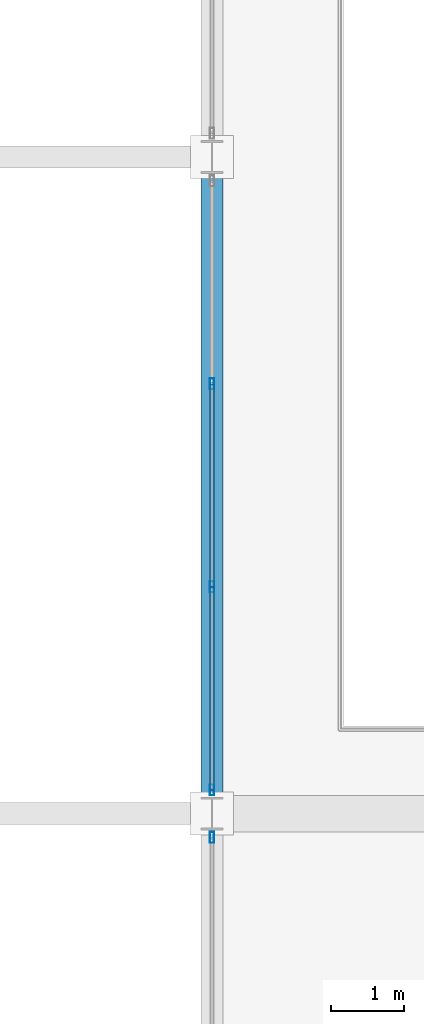
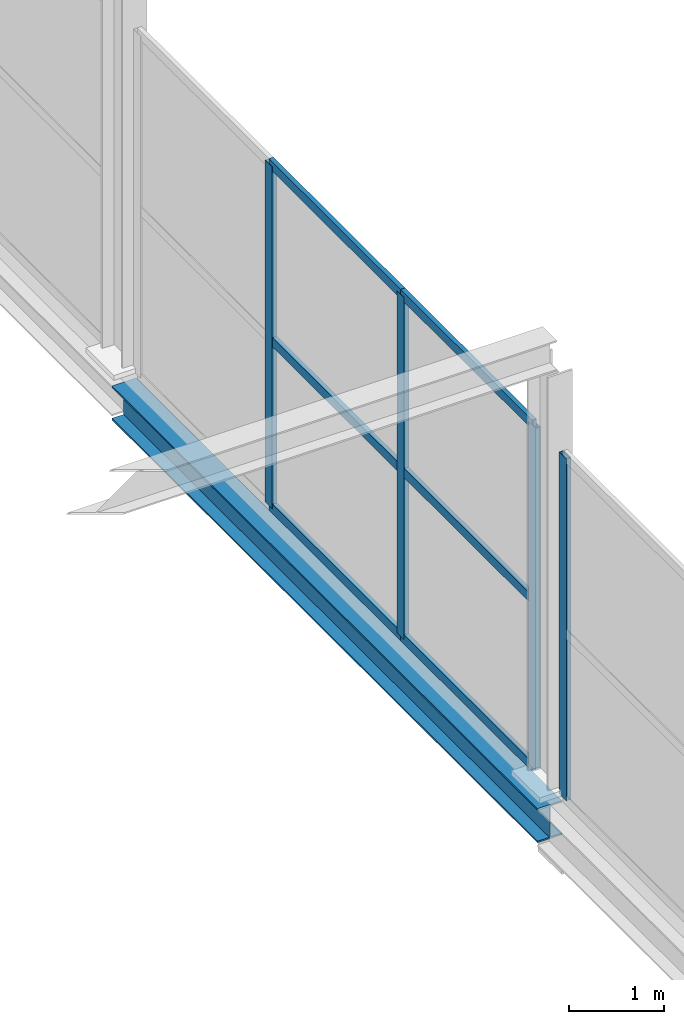
# One storey, part 38 of 147: 10 members, 1 beam, 2 elements without a shape of their own.
"""IFC4 building model written with IfcOpenShell, lengths in metres."""

from ifc_helpers import new_model, si_unit, direction, frame, origin, origin_2d, place, context, subcontext, project, spatial, hollow_rectangle, i_section, extrude, material, layer, layer_set, material_profile, profile_set, type_object, element, aggregate, save


model = new_model("IFC4")

# Units and contexts
model_context = context("Model", 3, precision=1e-05, world=origin(), true_north=direction((0.0, 1.0)))
body_context = subcontext(model_context, "Body", "Model", "MODEL_VIEW")
ifc_project = project(units=[si_unit("LENGTHUNIT", "METRE"), si_unit("AREAUNIT", "SQUARE_METRE"), si_unit("VOLUMEUNIT", "CUBIC_METRE"), si_unit("PLANEANGLEUNIT", "RADIAN"), si_unit("MASSUNIT", "GRAM", prefix="KILO")], contexts=[model_context])

# Site, building, storey
site_placement = place(None, origin())
site = spatial("IfcSite", under=ifc_project, at=site_placement, CompositionType="ELEMENT")
building_placement = place(site_placement, origin())
building = spatial("IfcBuilding", under=site, at=building_placement, Name="Sundgate Opera House", CompositionType="ELEMENT")
storey_placement = place(building_placement, frame((0.0, 0.0, 6.0)))
storey = spatial("IfcBuildingStorey", under=building, at=storey_placement, Name="L01", CompositionType="ELEMENT", Elevation=6.0)

# Beam
ifc_material_1 = material(Name="Steel S355J2", Category="steel")
ifc_material_profile_1 = material_profile(ifc_material_1, i_section(OverallWidth=0.300048828125, OverallDepth=0.43994140625, WebThickness=0.011474609375, FlangeThickness=0.02099609375, at=origin_2d()), Name="HEA 450")
ifc_profile_set_1 = profile_set([ifc_material_profile_1], Name="Steel S355J2")
beam_type = type_object("IfcBeamType", Name="BM-GR-HEA450", PredefinedType="BEAM", material=ifc_profile_set_1)
beam_placement = place(storey_placement, frame((95.39990234375, 42.0, -0.52001953125), z_axis=(0.0, 1.0, 0.0), x_axis=(-1.0, 0.0, 0.0)))
element("IfcBeam", 1, at=beam_placement, inside=storey, type_object=beam_type, Name="L01 Primary N-S Girder B1148", PredefinedType="BEAM", context=body_context, shape_type="SweptSolid", body=[
    extrude(i_section(OverallWidth=0.300048828125, OverallDepth=0.43994140625, WebThickness=0.011474609375, FlangeThickness=0.02099609375, at=origin_2d()), origin(), (0.0, 0.0, 1.0), 9.0),
])

# Curtain wall, member
ifc_material_2 = material(Name="Anodized aluminium and low-iron glass", Category="aluminium")
ifc_layer = layer(ifc_material_2, 0.159912109375)
ifc_layer_set = layer_set([ifc_layer], Name="Anodized aluminium and low-iron glass")
curtain_wall_type = type_object("IfcCurtainWallType", Name="CW-STUDIO-DARK", PredefinedType="NOTDEFINED", material=ifc_layer_set)
curtain_wall_1_placement = place(storey_placement, origin())
curtain_wall_1 = element("IfcCurtainWall", 2, at=curtain_wall_1_placement, inside=storey, type_object=curtain_wall_type, Name="L01 Curtain Wall CW044", PredefinedType="NOTDEFINED")
ifc_material_3 = material(Name="Anodized aluminium EN AW-6063", Category="aluminium")
ifc_material_profile_2 = material_profile(ifc_material_3, hollow_rectangle(XDim=0.06005859375, YDim=0.14990234375, WallThickness=0.00390625, at=origin_2d()), Name="CWM 150x60x4")
ifc_profile_set_2 = profile_set([ifc_material_profile_2], Name="Anodized aluminium EN AW-6063")
member_type_1 = type_object("IfcMemberType", Name="CWM-ALU-150x60", PredefinedType="MULLION", material=ifc_profile_set_2)
member_1_placement = place(storey_placement, frame((95.39990234375, 41.675048828125, 0.0), z_axis=(0.0, 0.0, 1.0), x_axis=(1.0, 0.0, 0.0)))
member_1 = element("IfcMember", 3, at=member_1_placement, type_object=member_type_1, Name="CW044 Mullion 1", PredefinedType="MULLION", context=body_context, shape_type="SweptSolid", body=[
    extrude(hollow_rectangle(XDim=0.06005859375, YDim=0.14990234375, WallThickness=0.00390625, at=origin_2d()), origin(), (0.0, 0.0, 1.0), 4.4150390625),
])
aggregate(curtain_wall_1, [member_1])

# Curtain wall, members
curtain_wall_2_placement = place(storey_placement, origin())
curtain_wall_2 = element("IfcCurtainWall", 4, at=curtain_wall_2_placement, inside=storey, type_object=curtain_wall_type, Name="L01 Curtain Wall CW046", PredefinedType="NOTDEFINED")
member_2_placement = place(storey_placement, frame((95.39990234375, 47.8916015625, 0.0), z_axis=(0.0, 0.0, 1.0), x_axis=(1.0, 0.0, 0.0)))
member_2 = element("IfcMember", 5, at=member_2_placement, type_object=member_type_1, Name="CW046 Mullion 2", PredefinedType="MULLION", context=body_context, shape_type="SweptSolid", body=[
    extrude(hollow_rectangle(XDim=0.06005859375, YDim=0.14990234375, WallThickness=0.00390625, at=origin_2d()), origin(), (0.0, 0.0, 1.0), 4.4150390625),
])
member_3_placement = place(storey_placement, frame((95.39990234375, 45.1083984375, 0.0), z_axis=(0.0, 0.0, 1.0), x_axis=(1.0, 0.0, 0.0)))
member_3 = element("IfcMember", 6, at=member_3_placement, type_object=member_type_1, Name="CW046 Mullion 3", PredefinedType="MULLION", context=body_context, shape_type="SweptSolid", body=[
    extrude(hollow_rectangle(XDim=0.06005859375, YDim=0.14990234375, WallThickness=0.00390625, at=origin_2d()), origin(), (0.0, 0.0, 1.0), 4.4150390625),
])
member_4_placement = place(storey_placement, frame((95.39990234375, 42.324951171875, 0.0), z_axis=(0.0, 0.0, 1.0), x_axis=(1.0, 0.0, 0.0)))
member_4 = element("IfcMember", 7, at=member_4_placement, type_object=member_type_1, Name="CW046 Mullion 4", PredefinedType="MULLION", context=body_context, shape_type="SweptSolid", body=[
    extrude(hollow_rectangle(XDim=0.06005859375, YDim=0.14990234375, WallThickness=0.00390625, at=origin_2d()), origin(), (0.0, 0.0, 1.0), 4.4150390625),
])
ifc_material_4 = material(Name="Anodized aluminium EN AW-6063", Category="aluminium")
ifc_material_profile_3 = material_profile(ifc_material_4, hollow_rectangle(XDim=0.054931640625, YDim=0.1201171875, WallThickness=0.00390625, at=origin_2d()), Name="CWT 120x55x4")
ifc_profile_set_3 = profile_set([ifc_material_profile_3], Name="Anodized aluminium EN AW-6063")
member_type_2 = type_object("IfcMemberType", Name="CWT-ALU-120x55", PredefinedType="USERDEFINED", material=ifc_profile_set_3)
member_5_placement = place(storey_placement, frame((95.39990234375, 47.8916015625, 0.0), z_axis=(0.0, -1.0, 0.0), x_axis=(1.0, 0.0, 0.0)))
member_5 = element("IfcMember", 8, at=member_5_placement, type_object=member_type_2, Name="CW046 Transom 4", ObjectType="TRANSOM", PredefinedType="USERDEFINED", context=body_context, shape_type="SweptSolid", body=[
    extrude(hollow_rectangle(XDim=0.054931640625, YDim=0.1201171875, WallThickness=0.00390625, at=origin_2d()), origin(), (0.0, 0.0, 1.0), 2.783203125),
])
member_6_placement = place(storey_placement, frame((95.39990234375, 47.8916015625, 2.14990234375), z_axis=(0.0, -1.0, 0.0), x_axis=(1.0, 0.0, 0.0)))
member_6 = element("IfcMember", 9, at=member_6_placement, type_object=member_type_2, Name="CW046 Transom 5", ObjectType="TRANSOM", PredefinedType="USERDEFINED", context=body_context, shape_type="SweptSolid", body=[
    extrude(hollow_rectangle(XDim=0.054931640625, YDim=0.1201171875, WallThickness=0.00390625, at=origin_2d()), origin(), (0.0, 0.0, 1.0), 2.783203125),
])
member_7_placement = place(storey_placement, frame((95.39990234375, 47.8916015625, 4.4150390625), z_axis=(0.0, -1.0, 0.0), x_axis=(1.0, 0.0, 0.0)))
member_7 = element("IfcMember", 10, at=member_7_placement, type_object=member_type_2, Name="CW046 Transom 6", ObjectType="TRANSOM", PredefinedType="USERDEFINED", context=body_context, shape_type="SweptSolid", body=[
    extrude(hollow_rectangle(XDim=0.054931640625, YDim=0.1201171875, WallThickness=0.00390625, at=origin_2d()), origin(), (0.0, 0.0, 1.0), 2.783203125),
])
member_8_placement = place(storey_placement, frame((95.39990234375, 45.1083984375, 0.0), z_axis=(0.0, -1.0, 0.0), x_axis=(1.0, 0.0, 0.0)))
member_8 = element("IfcMember", 11, at=member_8_placement, type_object=member_type_2, Name="CW046 Transom 7", ObjectType="TRANSOM", PredefinedType="USERDEFINED", context=body_context, shape_type="SweptSolid", body=[
    extrude(hollow_rectangle(XDim=0.054931640625, YDim=0.1201171875, WallThickness=0.00390625, at=origin_2d()), origin(), (0.0, 0.0, 1.0), 2.783447265625),
])
member_9_placement = place(storey_placement, frame((95.39990234375, 45.1083984375, 2.14990234375), z_axis=(0.0, -1.0, 0.0), x_axis=(1.0, 0.0, 0.0)))
member_9 = element("IfcMember", 12, at=member_9_placement, type_object=member_type_2, Name="CW046 Transom 8", ObjectType="TRANSOM", PredefinedType="USERDEFINED", context=body_context, shape_type="SweptSolid", body=[
    extrude(hollow_rectangle(XDim=0.054931640625, YDim=0.1201171875, WallThickness=0.00390625, at=origin_2d()), origin(), (0.0, 0.0, 1.0), 2.783447265625),
])
member_10_placement = place(storey_placement, frame((95.39990234375, 45.1083984375, 4.4150390625), z_axis=(0.0, -1.0, 0.0), x_axis=(1.0, 0.0, 0.0)))
member_10 = element("IfcMember", 13, at=member_10_placement, type_object=member_type_2, Name="CW046 Transom 9", ObjectType="TRANSOM", PredefinedType="USERDEFINED", context=body_context, shape_type="SweptSolid", body=[
    extrude(hollow_rectangle(XDim=0.054931640625, YDim=0.1201171875, WallThickness=0.00390625, at=origin_2d()), origin(), (0.0, 0.0, 1.0), 2.783447265625),
])
aggregate(curtain_wall_2, [member_2, member_3, member_4, member_5, member_6, member_7, member_8, member_9, member_10])

save(model, "model.ifc")
